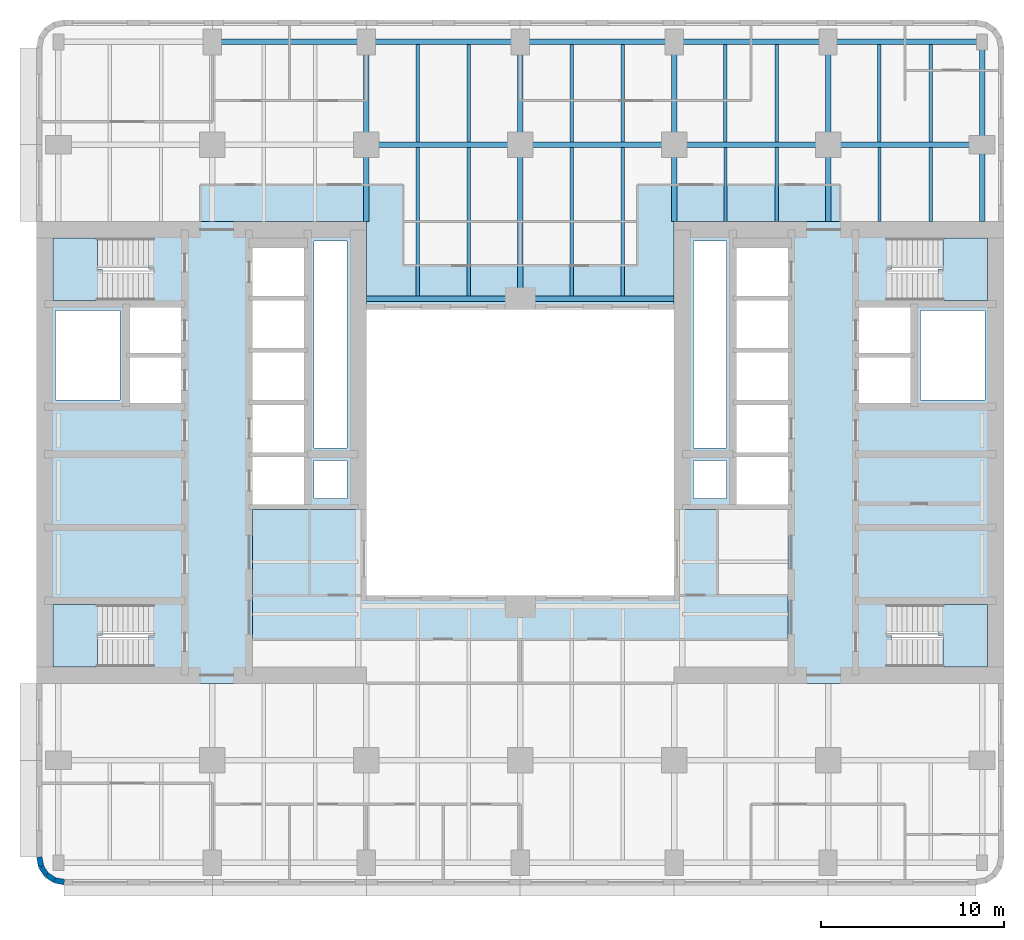
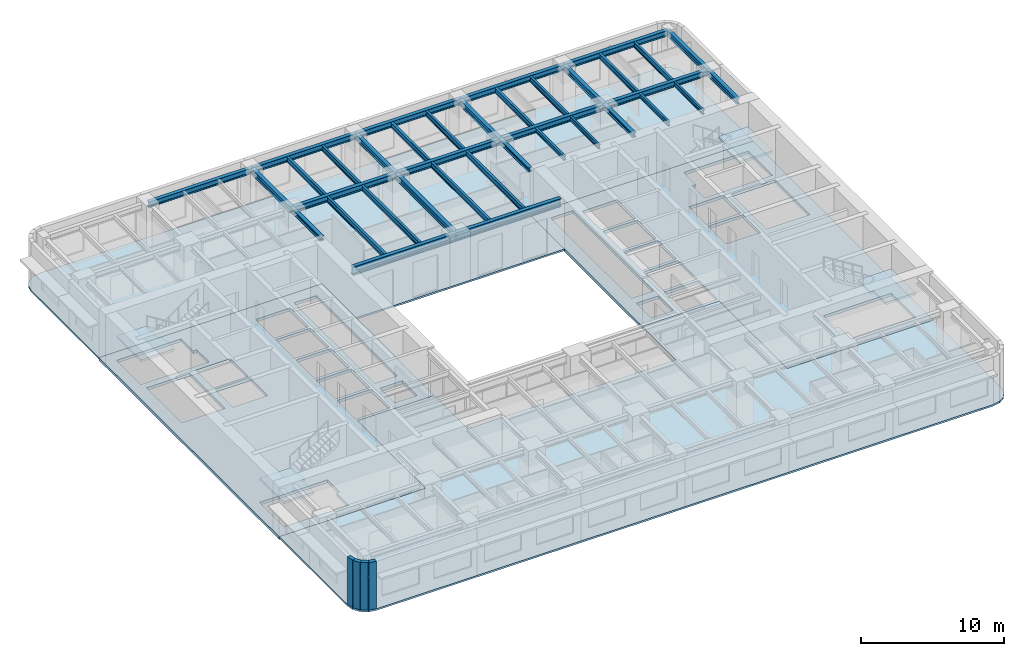
# One storey, part 2 of 11: 37 beams, 8 slabs, 4 walls, 4 elements without a shape of their own.
"""IFC4 building model written with IfcOpenShell, lengths in metres."""

from ifc_helpers import new_model, si_unit, direction, frame, frame_2d, origin, origin_2d, place, context, subcontext, project, spatial, polyline, rectangle, i_section, outline, extrude, material, layer, layer_set, material_profile, profile_set, type_object, element, aggregate, save


model = new_model("IFC4")

# Units and contexts
model_context = context("Model", 3, precision=1e-05, world=origin(), true_north=direction((0.0, 1.0)))
body_context = subcontext(model_context, "Body", "Model", "MODEL_VIEW")
ifc_project = project(units=[si_unit("LENGTHUNIT", "METRE"), si_unit("AREAUNIT", "SQUARE_METRE"), si_unit("VOLUMEUNIT", "CUBIC_METRE"), si_unit("PLANEANGLEUNIT", "RADIAN"), si_unit("MASSUNIT", "GRAM", prefix="KILO")], contexts=[model_context])

# Site, building, storey
site_placement = place(None, origin())
site = spatial("IfcSite", under=ifc_project, at=site_placement, CompositionType="ELEMENT")
building_placement = place(site_placement, origin())
building = spatial("IfcBuilding", under=site, at=building_placement, Name="Claustro Exchange Tower", CompositionType="ELEMENT")
storey_placement = place(building_placement, frame((0.0, 0.0, 117.60009765625)))
storey = spatial("IfcBuildingStorey", under=building, at=storey_placement, Name="L26", CompositionType="ELEMENT", Elevation=117.60009765625)

# Beams
ifc_material_1 = material(Name="Steel S355", Category="steel")
ifc_material_profile_1 = material_profile(ifc_material_1, i_section(OverallWidth=0.300048828125, OverallDepth=0.68994140625, WebThickness=0.014404296875, FlangeThickness=0.027099609375, FilletRadius=0.027099609375, at=origin_2d()), Name="HE 700 A")
ifc_profile_set_1 = profile_set([ifc_material_profile_1], Name="Steel S355")
beam_type_1 = type_object("IfcBeamType", Name="B13 HE 700 A light well edge girder", PredefinedType="BEAM", material=ifc_profile_set_1)
beam_1_placement = place(storey_placement, frame((16.800048828125, 33.60009765625, 3.704833984375), z_axis=(1.0, 0.0, 0.0), x_axis=(0.0, 1.0, 0.0)))
element("IfcBeam", 1, at=beam_1_placement, inside=storey, type_object=beam_type_1, Name="Beam B13 L27", PredefinedType="BEAM", context=body_context, shape_type="SweptSolid", body=[
    extrude(i_section(OverallWidth=0.300048828125, OverallDepth=0.68994140625, WebThickness=0.014404296875, FlangeThickness=0.027099609375, FilletRadius=0.027099609375, at=origin_2d()), origin(), (0.0, 0.0, 1.0), 8.39990234375),
])
beam_2_placement = place(storey_placement, frame((25.199951171875, 33.60009765625, 3.704833984375), z_axis=(1.0, 0.0, 0.0), x_axis=(0.0, 1.0, 0.0)))
element("IfcBeam", 2, at=beam_2_placement, inside=storey, type_object=beam_type_1, Name="Beam B13 L27", PredefinedType="BEAM", context=body_context, shape_type="SweptSolid", body=[
    extrude(i_section(OverallWidth=0.300048828125, OverallDepth=0.68994140625, WebThickness=0.014404296875, FlangeThickness=0.027099609375, FilletRadius=0.027099609375, at=origin_2d()), origin(), (0.0, 0.0, 1.0), 8.400146484375),
])
ifc_material_2 = material(Name="Steel S355", Category="steel")
ifc_material_profile_2 = material_profile(ifc_material_2, i_section(OverallWidth=0.169921875, OverallDepth=0.360107421875, WebThickness=0.008056640625, FlangeThickness=0.0126953125, FilletRadius=0.01806640625, at=origin_2d()), Name="IPE 360")
ifc_profile_set_2 = profile_set([ifc_material_profile_2], Name="Steel S355")
beam_type_2 = type_object("IfcBeamType", Name="B16 IPE 360 short-span beam", PredefinedType="BEAM", material=ifc_profile_set_2)
for number, where, z_axis, x_axis, name in (
    (3, (36.39990234375, 37.7900390625, 3.869873046875), (0.0, 1.0, 0.0), (-1.0, 0.0, 0.0), "Beam B16 L27"),
    (4, (39.199951171875, 37.7900390625, 3.869873046875), (0.0, 1.0, 0.0), (-1.0, 0.0, 0.0), "Beam B16 L27"),
    (5, (44.800048828125, 37.7900390625, 3.869873046875), (0.0, 1.0, 0.0), (-1.0, 0.0, 0.0), "Beam B16 L27"),
    (6, (47.60009765625, 37.7900390625, 3.869873046875), (0.0, 1.0, 0.0), (-1.0, 0.0, 0.0), "Beam B16 L27"),
):
    element("IfcBeam", number, at=place(storey_placement, frame(where, z_axis=z_axis, x_axis=x_axis)), inside=storey, type_object=beam_type_2, Name=name, PredefinedType="BEAM", context=body_context, shape_type="SweptSolid", body=[
        extrude(i_section(OverallWidth=0.169921875, OverallDepth=0.360107421875, WebThickness=0.008056640625, FlangeThickness=0.0126953125, FilletRadius=0.01806640625, at=origin_2d()), origin(), (0.0, 0.0, 1.0), 4.06005859375),
    ])
ifc_material_3 = material(Name="Steel S355", Category="steel")
ifc_material_profile_3 = material_profile(ifc_material_3, i_section(OverallWidth=0.300048828125, OverallDepth=0.360107421875, WebThickness=0.012451171875, FlangeThickness=0.0224609375, FilletRadius=0.027099609375, at=origin_2d()), Name="HE 360 B")
ifc_profile_set_3 = profile_set([ifc_material_profile_3], Name="Steel S355")
beam_type_3 = type_object("IfcBeamType", Name="B29 HE 360 B column to core link beam", PredefinedType="BEAM", material=ifc_profile_set_3)
for number, where, z_axis, x_axis, name in (
    (7, (16.800048828125, 37.800048828125, 3.869873046875), (0.0, 1.0, 0.0), (-1.0, 0.0, 0.0), "Beam B29 L27"),
    (8, (33.60009765625, 37.800048828125, 3.869873046875), (0.0, 1.0, 0.0), (-1.0, 0.0, 0.0), "Beam B29 L27"),
    (9, (42.0, 37.800048828125, 3.869873046875), (0.0, 1.0, 0.0), (-1.0, 0.0, 0.0), "Beam B29 L27"),
):
    element("IfcBeam", number, at=place(storey_placement, frame(where, z_axis=z_axis, x_axis=x_axis)), inside=storey, type_object=beam_type_3, Name=name, PredefinedType="BEAM", context=body_context, shape_type="SweptSolid", body=[
        extrude(i_section(OverallWidth=0.300048828125, OverallDepth=0.360107421875, WebThickness=0.012451171875, FlangeThickness=0.0224609375, FilletRadius=0.027099609375, at=origin_2d()), origin(), (0.0, 0.0, 1.0), 4.199951171875),
    ])
ifc_material_4 = material(Name="Steel S355", Category="steel")
ifc_material_profile_4 = material_profile(ifc_material_4, i_section(OverallWidth=0.300048828125, OverallDepth=0.5, WebThickness=0.014404296875, FlangeThickness=0.028076171875, FilletRadius=0.027099609375, at=origin_2d()), Name="HE 500 B")
ifc_profile_set_4 = profile_set([ifc_material_profile_4], Name="Steel S355")
beam_type_4 = type_object("IfcBeamType", Name="B7 HE 500 B floor girder", PredefinedType="BEAM", material=ifc_profile_set_4)
beam_3_placement = place(storey_placement, frame((16.800048828125, 42.0, 3.7998046875), z_axis=(0.0, 1.0, 0.0), x_axis=(-1.0, 0.0, 0.0)))
element("IfcBeam", 10, at=beam_3_placement, inside=storey, type_object=beam_type_4, Name="Beam B7 L27", PredefinedType="BEAM", context=body_context, shape_type="SweptSolid", body=[
    extrude(i_section(OverallWidth=0.300048828125, OverallDepth=0.5, WebThickness=0.014404296875, FlangeThickness=0.028076171875, FilletRadius=0.027099609375, at=origin_2d()), origin(), (0.0, 0.0, 1.0), 5.60009765625),
])
beam_4_placement = place(storey_placement, frame((25.199951171875, 33.60009765625, 3.7998046875), z_axis=(0.0, 1.0, 0.0), x_axis=(-1.0, 0.0, 0.0)))
element("IfcBeam", 11, at=beam_4_placement, inside=storey, type_object=beam_type_4, Name="Beam B7 L27", PredefinedType="BEAM", context=body_context, shape_type="SweptSolid", body=[
    extrude(i_section(OverallWidth=0.300048828125, OverallDepth=0.5, WebThickness=0.014404296875, FlangeThickness=0.028076171875, FilletRadius=0.027099609375, at=origin_2d()), origin(), (0.0, 0.0, 1.0), 8.39990234375),
])
for number, where, z_axis, x_axis, name in (
    (12, (25.199951171875, 42.0, 3.7998046875), (0.0, 1.0, 0.0), (-1.0, 0.0, 0.0), "Beam B7 L27"),
    (13, (33.60009765625, 42.0, 3.7998046875), (0.0, 1.0, 0.0), (-1.0, 0.0, 0.0), "Beam B7 L27"),
    (14, (42.0, 42.0, 3.7998046875), (0.0, 1.0, 0.0), (-1.0, 0.0, 0.0), "Beam B7 L27"),
):
    element("IfcBeam", number, at=place(storey_placement, frame(where, z_axis=z_axis, x_axis=x_axis)), inside=storey, type_object=beam_type_4, Name=name, PredefinedType="BEAM", context=body_context, shape_type="SweptSolid", body=[
        extrude(i_section(OverallWidth=0.300048828125, OverallDepth=0.5, WebThickness=0.014404296875, FlangeThickness=0.028076171875, FilletRadius=0.027099609375, at=origin_2d()), origin(), (0.0, 0.0, 1.0), 5.60009765625),
    ])
beam_5_placement = place(storey_placement, frame((16.800048828125, 42.0, 3.7998046875), z_axis=(1.0, 0.0, 0.0), x_axis=(0.0, 1.0, 0.0)))
element("IfcBeam", 15, at=beam_5_placement, inside=storey, type_object=beam_type_4, Name="Beam B7 L27", PredefinedType="BEAM", context=body_context, shape_type="SweptSolid", body=[
    extrude(i_section(OverallWidth=0.300048828125, OverallDepth=0.5, WebThickness=0.014404296875, FlangeThickness=0.028076171875, FilletRadius=0.027099609375, at=origin_2d()), origin(), (0.0, 0.0, 1.0), 8.39990234375),
])
beam_6_placement = place(storey_placement, frame((25.199951171875, 42.0, 3.7998046875), z_axis=(1.0, 0.0, 0.0), x_axis=(0.0, 1.0, 0.0)))
element("IfcBeam", 16, at=beam_6_placement, inside=storey, type_object=beam_type_4, Name="Beam B7 L27", PredefinedType="BEAM", context=body_context, shape_type="SweptSolid", body=[
    extrude(i_section(OverallWidth=0.300048828125, OverallDepth=0.5, WebThickness=0.014404296875, FlangeThickness=0.028076171875, FilletRadius=0.027099609375, at=origin_2d()), origin(), (0.0, 0.0, 1.0), 8.400146484375),
])
for number, where, z_axis, x_axis, name in (
    (17, (33.60009765625, 42.0, 3.7998046875), (1.0, 0.0, 0.0), (0.0, 1.0, 0.0), "Beam B7 L27"),
    (18, (42.0, 42.0, 3.7998046875), (1.0, 0.0, 0.0), (0.0, 1.0, 0.0), "Beam B7 L27"),
):
    element("IfcBeam", number, at=place(storey_placement, frame(where, z_axis=z_axis, x_axis=x_axis)), inside=storey, type_object=beam_type_4, Name=name, PredefinedType="BEAM", context=body_context, shape_type="SweptSolid", body=[
        extrude(i_section(OverallWidth=0.300048828125, OverallDepth=0.5, WebThickness=0.014404296875, FlangeThickness=0.028076171875, FilletRadius=0.027099609375, at=origin_2d()), origin(), (0.0, 0.0, 1.0), 8.39990234375),
    ])
ifc_material_5 = material(Name="Steel S355", Category="steel")
ifc_material_profile_5 = material_profile(ifc_material_5, i_section(OverallWidth=0.18994140625, OverallDepth=0.449951171875, WebThickness=0.009521484375, FlangeThickness=0.0146484375, FilletRadius=0.02099609375, at=origin_2d()), Name="IPE 450")
ifc_profile_set_5 = profile_set([ifc_material_profile_5], Name="Steel S355")
beam_type_5 = type_object("IfcBeamType", Name="B8 IPE 450 secondary beam", PredefinedType="BEAM", material=ifc_profile_set_5)
for number, where, z_axis, x_axis, name in (
    (19, (19.60009765625, 33.75, 3.824951171875), (0.0, 1.0, 0.0), (-1.0, 0.0, 0.0), "Beam B8 L27"),
    (20, (22.39990234375, 33.75, 3.824951171875), (0.0, 1.0, 0.0), (-1.0, 0.0, 0.0), "Beam B8 L27"),
):
    element("IfcBeam", number, at=place(storey_placement, frame(where, z_axis=z_axis, x_axis=x_axis)), inside=storey, type_object=beam_type_5, Name=name, PredefinedType="BEAM", context=body_context, shape_type="SweptSolid", body=[
        extrude(i_section(OverallWidth=0.18994140625, OverallDepth=0.449951171875, WebThickness=0.009521484375, FlangeThickness=0.0146484375, FilletRadius=0.02099609375, at=origin_2d()), origin(), (0.0, 0.0, 1.0), 8.10009765625),
    ])
for number, where, z_axis, x_axis, name in (
    (21, (19.60009765625, 42.14990234375, 3.824951171875), (0.0, 1.0, 0.0), (-1.0, 0.0, 0.0), "Beam B8 L27"),
    (22, (22.39990234375, 42.14990234375, 3.824951171875), (0.0, 1.0, 0.0), (-1.0, 0.0, 0.0), "Beam B8 L27"),
):
    element("IfcBeam", number, at=place(storey_placement, frame(where, z_axis=z_axis, x_axis=x_axis)), inside=storey, type_object=beam_type_5, Name=name, PredefinedType="BEAM", context=body_context, shape_type="SweptSolid", body=[
        extrude(i_section(OverallWidth=0.18994140625, OverallDepth=0.449951171875, WebThickness=0.009521484375, FlangeThickness=0.0146484375, FilletRadius=0.02099609375, at=origin_2d()), origin(), (0.0, 0.0, 1.0), 5.300048828125),
    ])
for number, where, z_axis, x_axis, name in (
    (23, (28.0, 33.75, 3.824951171875), (0.0, 1.0, 0.0), (-1.0, 0.0, 0.0), "Beam B8 L27"),
    (24, (30.800048828125, 33.75, 3.824951171875), (0.0, 1.0, 0.0), (-1.0, 0.0, 0.0), "Beam B8 L27"),
):
    element("IfcBeam", number, at=place(storey_placement, frame(where, z_axis=z_axis, x_axis=x_axis)), inside=storey, type_object=beam_type_5, Name=name, PredefinedType="BEAM", context=body_context, shape_type="SweptSolid", body=[
        extrude(i_section(OverallWidth=0.18994140625, OverallDepth=0.449951171875, WebThickness=0.009521484375, FlangeThickness=0.0146484375, FilletRadius=0.02099609375, at=origin_2d()), origin(), (0.0, 0.0, 1.0), 8.10009765625),
    ])
for number, where, z_axis, x_axis, name in (
    (25, (28.0, 42.14990234375, 3.824951171875), (0.0, 1.0, 0.0), (-1.0, 0.0, 0.0), "Beam B8 L27"),
    (26, (30.800048828125, 42.14990234375, 3.824951171875), (0.0, 1.0, 0.0), (-1.0, 0.0, 0.0), "Beam B8 L27"),
    (27, (36.39990234375, 42.14990234375, 3.824951171875), (0.0, 1.0, 0.0), (-1.0, 0.0, 0.0), "Beam B8 L27"),
    (28, (39.199951171875, 42.14990234375, 3.824951171875), (0.0, 1.0, 0.0), (-1.0, 0.0, 0.0), "Beam B8 L27"),
    (29, (44.800048828125, 42.14990234375, 3.824951171875), (0.0, 1.0, 0.0), (-1.0, 0.0, 0.0), "Beam B8 L27"),
    (30, (47.60009765625, 42.14990234375, 3.824951171875), (0.0, 1.0, 0.0), (-1.0, 0.0, 0.0), "Beam B8 L27"),
):
    element("IfcBeam", number, at=place(storey_placement, frame(where, z_axis=z_axis, x_axis=x_axis)), inside=storey, type_object=beam_type_5, Name=name, PredefinedType="BEAM", context=body_context, shape_type="SweptSolid", body=[
        extrude(i_section(OverallWidth=0.18994140625, OverallDepth=0.449951171875, WebThickness=0.009521484375, FlangeThickness=0.0146484375, FilletRadius=0.02099609375, at=origin_2d()), origin(), (0.0, 0.0, 1.0), 5.300048828125),
    ])
ifc_material_6 = material(Name="Steel S355", Category="steel")
ifc_material_profile_6 = material_profile(ifc_material_6, i_section(OverallWidth=0.300048828125, OverallDepth=0.489990234375, WebThickness=0.011962890625, FlangeThickness=0.02294921875, FilletRadius=0.027099609375, at=origin_2d()), Name="HE 500 A")
ifc_profile_set_6 = profile_set([ifc_material_profile_6], Name="Steel S355")
beam_type_6 = type_object("IfcBeamType", Name="B9 HE 500 A spandrel edge girder", PredefinedType="SPANDREL", material=ifc_profile_set_6)
beam_7_placement = place(storey_placement, frame((50.39990234375, 37.800048828125, 3.804931640625), z_axis=(0.0, 1.0, 0.0), x_axis=(-1.0, 0.0, 0.0)))
element("IfcBeam", 31, at=beam_7_placement, inside=storey, type_object=beam_type_6, Name="Beam B9 L27", PredefinedType="SPANDREL", context=body_context, shape_type="SweptSolid", body=[
    extrude(i_section(OverallWidth=0.300048828125, OverallDepth=0.489990234375, WebThickness=0.011962890625, FlangeThickness=0.02294921875, FilletRadius=0.027099609375, at=origin_2d()), origin(), (0.0, 0.0, 1.0), 4.199951171875),
])
beam_8_placement = place(storey_placement, frame((50.39990234375, 42.0, 3.804931640625), z_axis=(0.0, 1.0, 0.0), x_axis=(-1.0, 0.0, 0.0)))
element("IfcBeam", 32, at=beam_8_placement, inside=storey, type_object=beam_type_6, Name="Beam B9 L27", PredefinedType="SPANDREL", context=body_context, shape_type="SweptSolid", body=[
    extrude(i_section(OverallWidth=0.300048828125, OverallDepth=0.489990234375, WebThickness=0.011962890625, FlangeThickness=0.02294921875, FilletRadius=0.027099609375, at=origin_2d()), origin(), (0.0, 0.0, 1.0), 5.60009765625),
])
beam_9_placement = place(storey_placement, frame((8.39990234375, 47.60009765625, 3.804931640625), z_axis=(1.0, 0.0, 0.0), x_axis=(0.0, 1.0, 0.0)))
element("IfcBeam", 33, at=beam_9_placement, inside=storey, type_object=beam_type_6, Name="Beam B9 L27", PredefinedType="SPANDREL", context=body_context, shape_type="SweptSolid", body=[
    extrude(i_section(OverallWidth=0.300048828125, OverallDepth=0.489990234375, WebThickness=0.011962890625, FlangeThickness=0.02294921875, FilletRadius=0.027099609375, at=origin_2d()), origin(), (0.0, 0.0, 1.0), 8.400146484375),
])
beam_10_placement = place(storey_placement, frame((16.800048828125, 47.60009765625, 3.804931640625), z_axis=(1.0, 0.0, 0.0), x_axis=(0.0, 1.0, 0.0)))
element("IfcBeam", 34, at=beam_10_placement, inside=storey, type_object=beam_type_6, Name="Beam B9 L27", PredefinedType="SPANDREL", context=body_context, shape_type="SweptSolid", body=[
    extrude(i_section(OverallWidth=0.300048828125, OverallDepth=0.489990234375, WebThickness=0.011962890625, FlangeThickness=0.02294921875, FilletRadius=0.027099609375, at=origin_2d()), origin(), (0.0, 0.0, 1.0), 8.39990234375),
])
beam_11_placement = place(storey_placement, frame((25.199951171875, 47.60009765625, 3.804931640625), z_axis=(1.0, 0.0, 0.0), x_axis=(0.0, 1.0, 0.0)))
element("IfcBeam", 35, at=beam_11_placement, inside=storey, type_object=beam_type_6, Name="Beam B9 L27", PredefinedType="SPANDREL", context=body_context, shape_type="SweptSolid", body=[
    extrude(i_section(OverallWidth=0.300048828125, OverallDepth=0.489990234375, WebThickness=0.011962890625, FlangeThickness=0.02294921875, FilletRadius=0.027099609375, at=origin_2d()), origin(), (0.0, 0.0, 1.0), 8.400146484375),
])
for number, where, z_axis, x_axis, name in (
    (36, (33.60009765625, 47.60009765625, 3.804931640625), (1.0, 0.0, 0.0), (0.0, 1.0, 0.0), "Beam B9 L27"),
    (37, (42.0, 47.60009765625, 3.804931640625), (1.0, 0.0, 0.0), (0.0, 1.0, 0.0), "Beam B9 L27"),
):
    element("IfcBeam", number, at=place(storey_placement, frame(where, z_axis=z_axis, x_axis=x_axis)), inside=storey, type_object=beam_type_6, Name=name, PredefinedType="SPANDREL", context=body_context, shape_type="SweptSolid", body=[
        extrude(i_section(OverallWidth=0.300048828125, OverallDepth=0.489990234375, WebThickness=0.011962890625, FlangeThickness=0.02294921875, FilletRadius=0.027099609375, at=origin_2d()), origin(), (0.0, 0.0, 1.0), 8.39990234375),
    ])

# Slabs
ifc_material_7 = material(Name="Concrete HA-50 (C50/60)", Category="concrete")
ifc_layer_1 = layer(ifc_material_7, 0.14990234375)
ifc_layer_set_1 = layer_set([ifc_layer_1], Name="Concrete HA-50 (C50/60)")
slab_type_1 = type_object("IfcSlabType", Name="S2 150 composite floor slab", PredefinedType="FLOOR", material=ifc_layer_set_1)
slab_1_placement = place(storey_placement, frame((0.0, 0.0, -0.150146484375)))
element("IfcSlab", 38, at=slab_1_placement, inside=storey, type_object=slab_type_1, Name="Floor slab S2 S L26", PredefinedType="FLOOR", context=body_context, shape_type="SweptSolid", body=[
    extrude(outline(polyline([(-0.27392578125, 1.714111328125), (0.300048828125, 1.60009765625), (50.10009765625, 1.60009765625), (50.674072265625, 1.714111328125), (51.16064453125, 2.039306640625), (51.48583984375, 2.52587890625), (51.60009765625, 3.10009765625), (51.60009765625, 12.60009765625), (39.800048828125, 12.60009765625), (39.800048828125, 22.10009765625), (33.60009765625, 22.10009765625), (33.60009765625, 17.39990234375), (16.800048828125, 17.39990234375), (16.800048828125, 22.10009765625), (10.60009765625, 22.10009765625), (10.60009765625, 12.60009765625), (-1.199951171875, 12.60009765625), (-1.199951171875, 3.10009765625), (-1.085693359375, 2.52587890625), (-0.7607421875, 2.039306640625), (-0.27392578125, 1.714111328125)])), origin(), (0.0, 0.0, 1.0), 0.150146484375),
])
slab_2_placement = place(storey_placement, frame((0.0, 0.0, -0.150146484375)))
element("IfcSlab", 39, at=slab_2_placement, inside=storey, type_object=slab_type_1, Name="Floor slab S2 N L26", PredefinedType="FLOOR", context=body_context, shape_type="SweptSolid", body=[
    extrude(outline(polyline([(16.800048828125, 37.800048828125), (16.800048828125, 33.0), (33.60009765625, 33.0), (33.60009765625, 37.800048828125), (51.60009765625, 37.800048828125), (51.60009765625, 47.300048828125), (51.48583984375, 47.8740234375), (51.16064453125, 48.360595703125), (50.674072265625, 48.685791015625), (50.10009765625, 48.800048828125), (0.300048828125, 48.800048828125), (-0.27392578125, 48.685791015625), (-0.7607421875, 48.360595703125), (-1.085693359375, 47.8740234375), (-1.199951171875, 47.300048828125), (-1.199951171875, 37.800048828125), (16.800048828125, 37.800048828125)])), origin(), (0.0, 0.0, 1.0), 0.150146484375),
])
ifc_material_8 = material(Name="Concrete HA-50 (C50/60)", Category="concrete")
ifc_layer_2 = layer(ifc_material_8, 0.25)
ifc_layer_set_2 = layer_set([ifc_layer_2], Name="Concrete HA-50 (C50/60)")
slab_type_2 = type_object("IfcSlabType", Name="S7 250 core floor slab", PredefinedType="FLOOR", material=ifc_layer_set_2)
slab_3_placement = place(storey_placement, frame((0.0, 0.0, -0.25)))
element("IfcSlab", 40, at=slab_3_placement, inside=storey, type_object=slab_type_2, Name="Core floor slab S7 W core L26", PredefinedType="FLOOR", context=body_context, shape_type="SweptSolid", body=[
    extrude(outline(polyline([(-1.199951171875, 37.800048828125), (-1.199951171875, 12.60009765625), (10.60009765625, 12.60009765625), (10.60009765625, 22.10009765625), (16.800048828125, 22.10009765625), (16.800048828125, 37.800048828125), (-1.199951171875, 37.800048828125)]), holes=[polyline([(13.949951171875, 24.75), (15.75, 24.75), (15.75, 22.699951171875), (13.949951171875, 22.699951171875), (13.949951171875, 24.75)]), polyline([(13.949951171875, 36.75), (15.75, 36.75), (15.75, 25.449951171875), (13.949951171875, 25.449951171875), (13.949951171875, 36.75)]), polyline([(13.39990234375, 24.949951171875), (13.39990234375, 22.35009765625), (10.60009765625, 22.35009765625), (10.60009765625, 24.949951171875), (13.39990234375, 24.949951171875)]), polyline([(13.39990234375, 27.800048828125), (13.39990234375, 25.199951171875), (10.60009765625, 25.199951171875), (10.60009765625, 27.800048828125), (13.39990234375, 27.800048828125)]), polyline([(13.39990234375, 30.64990234375), (13.39990234375, 28.050048828125), (10.60009765625, 28.050048828125), (10.60009765625, 30.64990234375), (13.39990234375, 30.64990234375)]), polyline([(13.39990234375, 33.5), (13.39990234375, 30.89990234375), (10.60009765625, 30.89990234375), (10.60009765625, 33.5), (13.39990234375, 33.5)]), polyline([(13.39990234375, 36.35009765625), (13.39990234375, 33.75), (10.60009765625, 33.75), (10.60009765625, 36.35009765625), (13.39990234375, 36.35009765625)]), polyline([(6.699951171875, 30.375), (6.699951171875, 27.89990234375), (3.89990234375, 27.89990234375), (3.89990234375, 30.375), (6.699951171875, 30.375)]), polyline([(6.699951171875, 33.10009765625), (6.699951171875, 30.625), (3.89990234375, 30.625), (3.89990234375, 33.10009765625), (6.699951171875, 33.10009765625)]), polyline([(-0.300048828125, 15.199951171875), (-0.300048828125, 16.89990234375), (5.195068359375, 16.89990234375), (5.195068359375, 15.199951171875), (4.919921875, 15.199951171875), (4.919921875, 13.5), (-0.300048828125, 13.5), (-0.300048828125, 15.199951171875)]), polyline([(-0.300048828125, 35.199951171875), (-0.300048828125, 36.89990234375), (4.919921875, 36.89990234375), (4.919921875, 35.199951171875), (5.195068359375, 35.199951171875), (5.195068359375, 33.5), (-0.300048828125, 33.5), (-0.300048828125, 35.199951171875)]), polyline([(-0.14990234375, 32.949951171875), (3.35009765625, 32.949951171875), (3.35009765625, 28.050048828125), (-0.14990234375, 28.050048828125), (-0.14990234375, 32.949951171875)])]), origin(), (0.0, 0.0, 1.0), 0.25),
])
slab_4_placement = place(storey_placement, frame((0.0, 0.0, -0.25)))
element("IfcSlab", 41, at=slab_4_placement, inside=storey, type_object=slab_type_2, Name="Core floor slab S7 E core L26", PredefinedType="FLOOR", context=body_context, shape_type="SweptSolid", body=[
    extrude(outline(polyline([(51.60009765625, 37.800048828125), (33.60009765625, 37.800048828125), (33.60009765625, 22.10009765625), (39.800048828125, 22.10009765625), (39.800048828125, 12.60009765625), (51.60009765625, 12.60009765625), (51.60009765625, 37.800048828125)]), holes=[polyline([(45.47998046875, 15.199951171875), (45.205078125, 15.199951171875), (45.205078125, 16.89990234375), (50.699951171875, 16.89990234375), (50.699951171875, 15.199951171875), (50.699951171875, 13.5), (45.47998046875, 13.5), (45.47998046875, 15.199951171875)]), polyline([(45.47998046875, 35.199951171875), (45.47998046875, 36.89990234375), (50.699951171875, 36.89990234375), (50.699951171875, 35.199951171875), (50.699951171875, 33.5), (45.205078125, 33.5), (45.205078125, 35.199951171875), (45.47998046875, 35.199951171875)]), polyline([(50.550048828125, 32.949951171875), (50.550048828125, 28.050048828125), (47.050048828125, 28.050048828125), (47.050048828125, 32.949951171875), (50.550048828125, 32.949951171875)]), polyline([(43.699951171875, 33.10009765625), (46.5, 33.10009765625), (46.5, 30.625), (43.699951171875, 30.625), (43.699951171875, 33.10009765625)]), polyline([(46.5, 30.375), (46.5, 27.89990234375), (43.699951171875, 27.89990234375), (43.699951171875, 30.375), (46.5, 30.375)]), polyline([(37.0, 24.949951171875), (39.800048828125, 24.949951171875), (39.800048828125, 22.35009765625), (37.0, 22.35009765625), (37.0, 24.949951171875)]), polyline([(37.0, 30.64990234375), (39.800048828125, 30.64990234375), (39.800048828125, 28.050048828125), (37.0, 28.050048828125), (37.0, 30.64990234375)]), polyline([(39.800048828125, 27.800048828125), (39.800048828125, 25.199951171875), (37.0, 25.199951171875), (37.0, 27.800048828125), (39.800048828125, 27.800048828125)]), polyline([(39.800048828125, 33.5), (39.800048828125, 30.89990234375), (37.0, 30.89990234375), (37.0, 33.5), (39.800048828125, 33.5)]), polyline([(39.800048828125, 36.35009765625), (39.800048828125, 33.75), (37.0, 33.75), (37.0, 36.35009765625), (39.800048828125, 36.35009765625)]), polyline([(36.449951171875, 24.75), (36.449951171875, 22.699951171875), (34.64990234375, 22.699951171875), (34.64990234375, 24.75), (36.449951171875, 24.75)]), polyline([(36.449951171875, 36.75), (36.449951171875, 25.449951171875), (34.64990234375, 25.449951171875), (34.64990234375, 36.75), (36.449951171875, 36.75)])]), origin(), (0.0, 0.0, 1.0), 0.25),
])

# Stair, slab
ifc_material_9 = material(Name="Concrete HA-30 (C30/37), precast", Category="concrete")
stair_type = type_object("IfcStairType", Name="ST1 half-turn stair, 24 risers of 175", PredefinedType="HALF_TURN_STAIR", material=ifc_material_9)
stair_1_placement = place(storey_placement, origin())
stair_1 = element("IfcStair", 42, at=stair_1_placement, inside=storey, type_object=stair_type, Name="Stair STWA L26", PredefinedType="HALF_TURN_STAIR")
ifc_material_10 = material(Name="Concrete HA-30 (C30/37), precast", Category="concrete")
ifc_layer_3 = layer(ifc_material_10, 0.199951171875)
ifc_layer_set_3 = layer_set([ifc_layer_3], Name="Concrete HA-30 (C30/37), precast")
slab_type_3 = type_object("IfcSlabType", Name="S9 200 stair landing", PredefinedType="LANDING", material=ifc_layer_set_3)
slab_5_placement = place(storey_placement, frame((0.0, 0.0, 1.89990234375)))
slab_5 = element("IfcSlab", 43, at=slab_5_placement, type_object=slab_type_3, Name="STWA landing 1", PredefinedType="LANDING", context=body_context, shape_type="SweptSolid", body=[
    extrude(outline(polyline([(2.125, 13.5), (-0.300048828125, 13.5), (-0.300048828125, 16.89990234375), (2.1201171875, 16.89990234375), (2.125, 16.89990234375), (2.39990234375, 16.89990234375), (2.39990234375, 15.199951171875), (2.125, 15.199951171875), (2.125, 13.5)])), origin(), (0.0, 0.0, 1.0), 0.199951171875),
])
aggregate(stair_1, [slab_5])

stair_2_placement = place(storey_placement, origin())
stair_2 = element("IfcStair", 44, at=stair_2_placement, inside=storey, type_object=stair_type, Name="Stair STWB L26", PredefinedType="HALF_TURN_STAIR")
slab_6_placement = place(storey_placement, frame((0.0, 0.0, 1.89990234375)))
slab_6 = element("IfcSlab", 45, at=slab_6_placement, type_object=slab_type_3, Name="STWB landing 1", PredefinedType="LANDING", context=body_context, shape_type="SweptSolid", body=[
    extrude(outline(polyline([(2.39990234375, 35.199951171875), (2.39990234375, 33.5), (2.125, 33.5), (2.1201171875, 33.5), (-0.300048828125, 33.5), (-0.300048828125, 36.89990234375), (2.125, 36.89990234375), (2.125, 35.199951171875), (2.39990234375, 35.199951171875)])), origin(), (0.0, 0.0, 1.0), 0.199951171875),
])
aggregate(stair_2, [slab_6])

stair_3_placement = place(storey_placement, origin())
stair_3 = element("IfcStair", 46, at=stair_3_placement, inside=storey, type_object=stair_type, Name="Stair STEA L26", PredefinedType="HALF_TURN_STAIR")
slab_7_placement = place(storey_placement, frame((0.0, 0.0, 1.89990234375)))
slab_7 = element("IfcSlab", 47, at=slab_7_placement, type_object=slab_type_3, Name="STEA landing 1", PredefinedType="LANDING", context=body_context, shape_type="SweptSolid", body=[
    extrude(outline(polyline([(50.699951171875, 16.89990234375), (50.699951171875, 13.5), (48.27490234375, 13.5), (48.27490234375, 15.199951171875), (48.0, 15.199951171875), (48.0, 16.89990234375), (48.27490234375, 16.89990234375), (48.280029296875, 16.89990234375), (50.699951171875, 16.89990234375)])), origin(), (0.0, 0.0, 1.0), 0.199951171875),
])
aggregate(stair_3, [slab_7])

stair_4_placement = place(storey_placement, origin())
stair_4 = element("IfcStair", 48, at=stair_4_placement, inside=storey, type_object=stair_type, Name="Stair STEB L26", PredefinedType="HALF_TURN_STAIR")
slab_8_placement = place(storey_placement, frame((0.0, 0.0, 1.89990234375)))
slab_8 = element("IfcSlab", 49, at=slab_8_placement, type_object=slab_type_3, Name="STEB landing 1", PredefinedType="LANDING", context=body_context, shape_type="SweptSolid", body=[
    extrude(outline(polyline([(48.0, 33.5), (48.0, 35.199951171875), (48.27490234375, 35.199951171875), (48.27490234375, 36.89990234375), (50.699951171875, 36.89990234375), (50.699951171875, 33.5), (48.280029296875, 33.5), (48.27490234375, 33.5), (48.0, 33.5)])), origin(), (0.0, 0.0, 1.0), 0.199951171875),
])
aggregate(stair_4, [slab_8])

# Walls
ifc_material_11 = material(Name="Concrete HA-40 (C40/50), precast, white cement, acid-etched", Category="concrete")
ifc_layer_4 = layer(ifc_material_11, 0.300048828125)
ifc_layer_set_4 = layer_set([ifc_layer_4], Name="Concrete HA-40 (C40/50), precast, white cement, acid-etched")
wall_type = type_object("IfcWallType", Name="PC1 300 precast concrete pier panel", PredefinedType="SOLIDWALL", material=ifc_layer_set_4)
wall_1_placement = place(storey_placement, frame((0.314697265625, 1.75, 0.0), z_axis=(0.0, 0.0, 1.0), x_axis=(-0.980788534345, 0.195073962632, 0.0)))
element("IfcWall", 50, at=wall_1_placement, inside=storey, type_object=wall_type, Name="Precast pier panel PC1 L26", PredefinedType="SOLIDWALL", context=body_context, shape_type="SweptSolid", body=[
    extrude(rectangle(XDim=0.540771484375, YDim=0.300048828125, at=frame_2d((0.2705078125, 0.0))), origin(), (0.0, 0.0, 1.0), 4.0498046875),
])
for number, where, z_axis, x_axis, name in (
    (51, (-0.215576171875, 1.85546875, 0.0), (0.0, 0.0, 1.0), (-0.831478144188, 0.555557463938, 0.0), "Precast pier panel PC1 L26"),
    (52, (-0.652587890625, 2.1474609375, 0.0), (0.0, 0.0, 1.0), (-0.555557463938, 0.831478144188, 0.0), "Precast pier panel PC1 L26"),
):
    element("IfcWall", number, at=place(storey_placement, frame(where, z_axis=z_axis, x_axis=x_axis)), inside=storey, type_object=wall_type, Name=name, PredefinedType="SOLIDWALL", context=body_context, shape_type="SweptSolid", body=[
        extrude(rectangle(XDim=0.525634765625, YDim=0.300048828125, at=frame_2d((0.2626953125, 0.0))), origin(), (0.0, 0.0, 1.0), 4.0498046875),
    ])
wall_2_placement = place(storey_placement, frame((-0.944580078125, 2.58447265625, 0.0), z_axis=(0.0, 0.0, 1.0), x_axis=(-0.195073962632, 0.980788534345, 0.0)))
element("IfcWall", 53, at=wall_2_placement, inside=storey, type_object=wall_type, Name="Precast pier panel PC1 L26", PredefinedType="SOLIDWALL", context=body_context, shape_type="SweptSolid", body=[
    extrude(rectangle(XDim=0.540771484375, YDim=0.300048828125, at=frame_2d((0.2705078125, 0.0))), origin(), (0.0, 0.0, 1.0), 4.0498046875),
])

save(model, "model.ifc")
